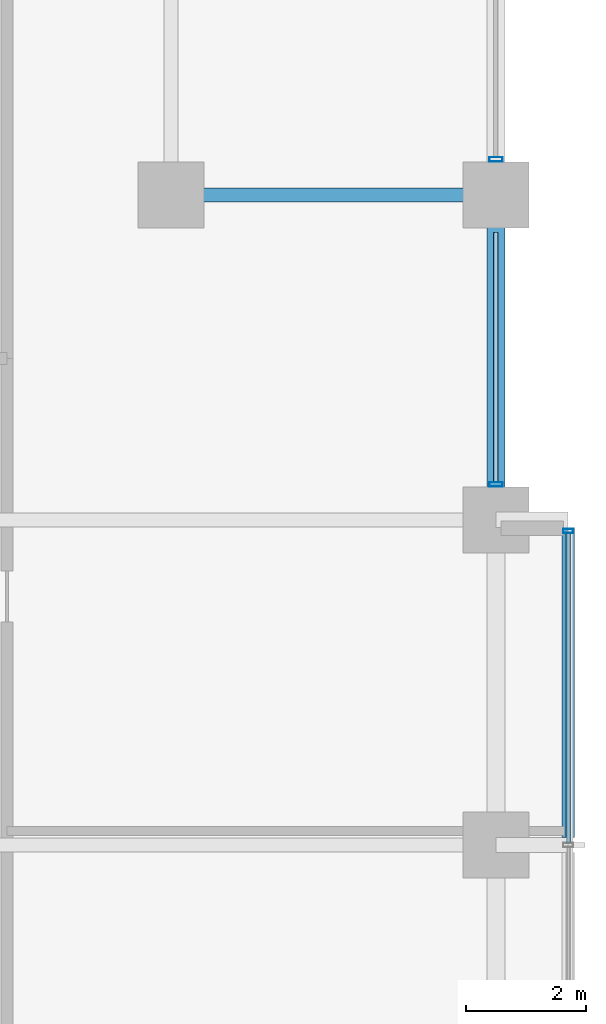
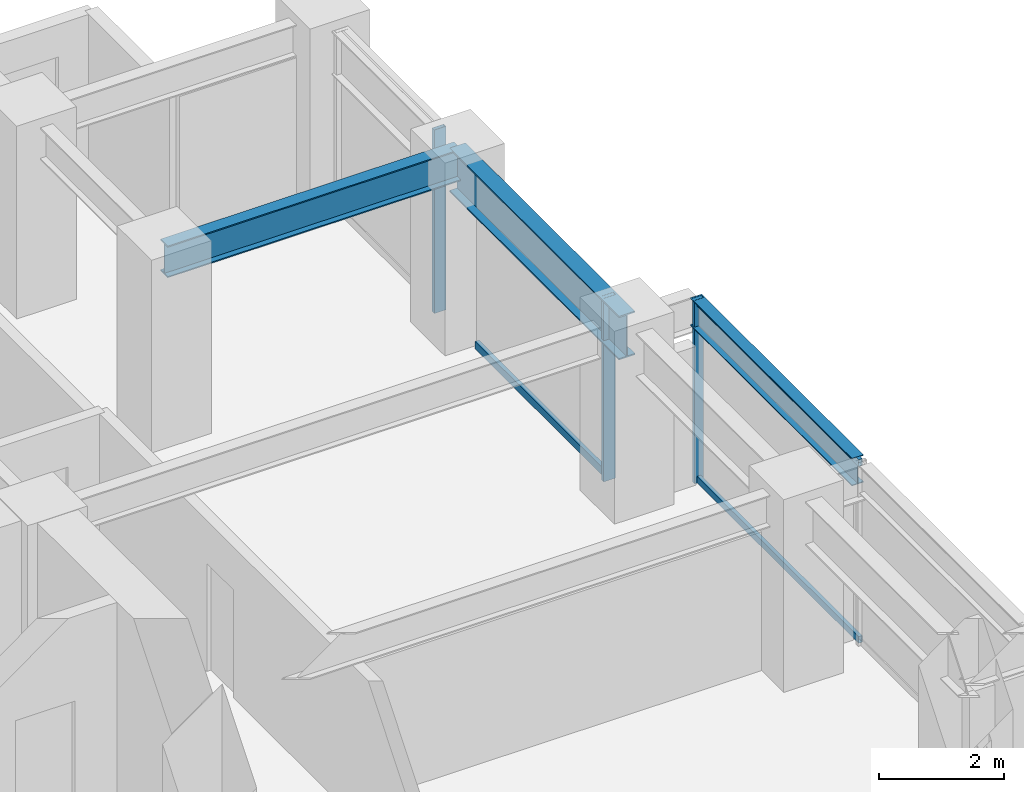
# One storey, part 16 of 26: 6 members, 3 beams, 2 elements without a shape of their own.
"""IFC4 building model written with IfcOpenShell, lengths in metres."""

from ifc_helpers import new_model, si_unit, direction, frame, origin, origin_2d, place, context, subcontext, project, spatial, hollow_rectangle, i_section, extrude, material, layer, layer_set, material_profile, profile_set, type_object, element, aggregate, save


model = new_model("IFC4")

# Units and contexts
model_context = context("Model", 3, precision=1e-05, world=origin(), true_north=direction((0.0, 1.0)))
body_context = subcontext(model_context, "Body", "Model", "MODEL_VIEW")
ifc_project = project(units=[si_unit("LENGTHUNIT", "METRE"), si_unit("AREAUNIT", "SQUARE_METRE"), si_unit("VOLUMEUNIT", "CUBIC_METRE"), si_unit("PLANEANGLEUNIT", "RADIAN"), si_unit("MASSUNIT", "GRAM", prefix="KILO")], contexts=[model_context])

# Site, building, storey
site_placement = place(None, origin())
site = spatial("IfcSite", under=ifc_project, at=site_placement, CompositionType="ELEMENT")
building_placement = place(site_placement, origin())
building = spatial("IfcBuilding", under=site, at=building_placement, Name="Surkhivell Harbour Commons", CompositionType="ELEMENT")
storey_placement = place(building_placement, frame((0.0, 0.0, 102.0)))
storey = spatial("IfcBuildingStorey", under=building, at=storey_placement, Name="L26", CompositionType="ELEMENT", Elevation=102.0)

# Beams
ifc_material_1 = material(Name="Steel S355", Category="steel")
ifc_material_profile_1 = material_profile(ifc_material_1, i_section(OverallWidth=0.2099609375, OverallDepth=0.537109375, WebThickness=0.0107421875, FlangeThickness=0.017333984375, at=origin_2d()), Name="UB533x210x101")
ifc_profile_set_1 = profile_set([ifc_material_profile_1], Name="Steel S355")
beam_type_1 = type_object("IfcBeamType", Name="BM-GRD-533B", PredefinedType="BEAM", material=ifc_profile_set_1)
beam_1_placement = place(storey_placement, frame((22.800048828125, 5.52197265625, 3.301513671875), z_axis=(0.0, 1.0, 0.0), x_axis=(-1.0, 0.0, 0.0)))
element("IfcBeam", 1, at=beam_1_placement, inside=storey, type_object=beam_type_1, Name="L26 Box Rim Spandrel (22.8,5.4)", PredefinedType="BEAM", context=body_context, shape_type="SweptSolid", body=[
    extrude(i_section(OverallWidth=0.2099609375, OverallDepth=0.537109375, WebThickness=0.0107421875, FlangeThickness=0.017333984375, at=origin_2d()), origin(), (0.0, 0.0, 1.0), 5.156005859375),
])
ifc_material_profile_2 = material_profile(ifc_material_1, i_section(OverallWidth=0.22998046875, OverallDepth=0.616943359375, WebThickness=0.01318359375, FlangeThickness=0.022216796875, at=origin_2d()), Name="UB610x229x140")
ifc_profile_set_2 = profile_set([ifc_material_profile_2], Name="Steel S355")
beam_type_2 = type_object("IfcBeamType", Name="BM-GRD-610B", PredefinedType="BEAM", material=ifc_profile_set_2)
beam_2_placement = place(storey_placement, frame((16.199951171875, 16.199951171875, 3.261474609375), z_axis=(1.0, 0.0, 0.0), x_axis=(0.0, 1.0, 0.0)))
element("IfcBeam", 2, at=beam_2_placement, inside=storey, type_object=beam_type_2, Name="L26 Floor Girder (16.2,16.2)", PredefinedType="BEAM", context=body_context, shape_type="SweptSolid", body=[
    extrude(i_section(OverallWidth=0.22998046875, OverallDepth=0.616943359375, WebThickness=0.01318359375, FlangeThickness=0.022216796875, at=origin_2d()), origin(), (0.0, 0.0, 1.0), 5.400146484375),
])
ifc_material_2 = material(Name="Steel S460", Category="steel")
ifc_material_profile_3 = material_profile(ifc_material_2, i_section(OverallWidth=0.2939453125, OverallDepth=0.85107421875, WebThickness=0.01611328125, FlangeThickness=0.02685546875, at=origin_2d()), Name="UB838x292x226")
ifc_profile_set_3 = profile_set([ifc_material_profile_3], Name="Steel S460")
beam_type_3 = type_object("IfcBeamType", Name="BM-SPN-838", PredefinedType="SPANDREL", material=ifc_profile_set_3)
beam_3_placement = place(storey_placement, frame((21.60009765625, 10.800048828125, 3.14453125), z_axis=(0.0, 1.0, 0.0), x_axis=(-1.0, 0.0, 0.0)))
element("IfcBeam", 3, at=beam_3_placement, inside=storey, type_object=beam_type_3, Name="L26 Tube Spandrel (21.6,10.8)", PredefinedType="SPANDREL", context=body_context, shape_type="SweptSolid", body=[
    extrude(i_section(OverallWidth=0.2939453125, OverallDepth=0.85107421875, WebThickness=0.01611328125, FlangeThickness=0.02685546875, at=origin_2d()), origin(), (0.0, 0.0, 1.0), 5.39990234375),
])

# Curtain wall, member
ifc_material_3 = material(Name="Anodised pale-metal aluminium and insulated glazing", Category="aluminium")
ifc_layer_1 = layer(ifc_material_3, 0.1650390625)
ifc_layer_set_1 = layer_set([ifc_layer_1], Name="Anodised pale-metal aluminium and insulated glazing")
curtain_wall_type_1 = type_object("IfcCurtainWallType", Name="CW-SYS-BOX", PredefinedType="NOTDEFINED", material=ifc_layer_set_1)
curtain_wall_1_placement = place(storey_placement, origin())
curtain_wall_1 = element("IfcCurtainWall", 4, at=curtain_wall_1_placement, inside=storey, type_object=curtain_wall_type_1, Name="L26 Curtain Wall CW-L26-BOX01", PredefinedType="NOTDEFINED")
ifc_material_4 = material(Name="Champagne anodised aluminium alloy 6063-T6", Category="aluminium")
ifc_material_profile_4 = material_profile(ifc_material_4, hollow_rectangle(XDim=0.070068359375, YDim=0.1650390625, WallThickness=0.00341796875, at=origin_2d()), Name="ALU-MULL-70x165")
ifc_profile_set_4 = profile_set([ifc_material_profile_4], Name="Champagne anodised aluminium alloy 6063-T6")
member_type_1 = type_object("IfcMemberType", Name="CWM-165", PredefinedType="MULLION", material=ifc_profile_set_4)
member_1_placement = place(storey_placement, frame((22.800048828125, 10.614990234375, 0.0), z_axis=(0.0, 0.0, 1.0), x_axis=(0.0, 1.0, 0.0)))
member_1 = element("IfcMember", 5, at=member_1_placement, type_object=member_type_1, Name="CW-BOX mullion 3", PredefinedType="MULLION", context=body_context, shape_type="SweptSolid", body=[
    extrude(hollow_rectangle(XDim=0.070068359375, YDim=0.1650390625, WallThickness=0.00341796875, at=origin_2d()), origin(), (0.0, 0.0, 1.0), 3.570068359375),
])

# Curtain wall, members
ifc_layer_2 = layer(ifc_material_3, 0.205078125)
ifc_layer_set_2 = layer_set([ifc_layer_2], Name="Anodised pale-metal aluminium and insulated glazing")
curtain_wall_type_2 = type_object("IfcCurtainWallType", Name="CW-SYS-Z2", PredefinedType="NOTDEFINED", material=ifc_layer_set_2)
curtain_wall_2_placement = place(storey_placement, origin())
curtain_wall_2 = element("IfcCurtainWall", 6, at=curtain_wall_2_placement, inside=storey, type_object=curtain_wall_type_2, Name="L26 Curtain Wall CW-L26-E02R2", PredefinedType="NOTDEFINED")
ifc_material_5 = material(Name="Anodised pale-metal aluminium alloy 6063-T6", Category="aluminium")
ifc_material_profile_5 = material_profile(ifc_material_5, hollow_rectangle(XDim=0.074951171875, YDim=0.219970703125, WallThickness=0.00390625, at=origin_2d()), Name="ALU-MULL-75x220")
ifc_profile_set_5 = profile_set([ifc_material_profile_5], Name="Anodised pale-metal aluminium alloy 6063-T6")
member_type_2 = type_object("IfcMemberType", Name="CWM-220", PredefinedType="MULLION", material=ifc_profile_set_5)
member_2_placement = place(storey_placement, frame((21.60009765625, 11.389404296875, 0.0), z_axis=(0.0, 0.0, 1.0), x_axis=(0.0, 1.0, 0.0)))
member_2 = element("IfcMember", 7, at=member_2_placement, type_object=member_type_2, Name="CW-Z2 mullion 1", PredefinedType="MULLION", context=body_context, shape_type="SweptSolid", body=[
    extrude(hollow_rectangle(XDim=0.074951171875, YDim=0.219970703125, WallThickness=0.00390625, at=origin_2d()), origin(), (0.0, 0.0, 1.0), 3.570068359375),
])
member_3_placement = place(storey_placement, frame((21.60009765625, 16.78955078125, 0.0), z_axis=(0.0, 0.0, 1.0), x_axis=(0.0, 1.0, 0.0)))
member_3 = element("IfcMember", 8, at=member_3_placement, type_object=member_type_2, Name="CW-Z2 mullion 2", PredefinedType="MULLION", context=body_context, shape_type="SweptSolid", body=[
    extrude(hollow_rectangle(XDim=0.074951171875, YDim=0.219970703125, WallThickness=0.00390625, at=origin_2d()), origin(), (0.0, 0.0, 1.0), 3.570068359375),
])

# Member
ifc_material_profile_6 = material_profile(ifc_material_4, hollow_rectangle(XDim=0.070068359375, YDim=0.1298828125, WallThickness=0.00341796875, at=origin_2d()), Name="ALU-TRAN-70x130")
ifc_profile_set_6 = profile_set([ifc_material_profile_6], Name="Champagne anodised aluminium alloy 6063-T6")
member_type_3 = type_object("IfcMemberType", Name="CWT-130", PredefinedType="USERDEFINED", material=ifc_profile_set_6)
member_4_placement = place(storey_placement, frame((22.800048828125, 5.43505859375, 0.06494140625), z_axis=(0.0, 1.0, 0.0), x_axis=(-1.0, 0.0, 0.0)))
member_4 = element("IfcMember", 9, at=member_4_placement, type_object=member_type_3, Name="CW-BOX transom 2.1", ObjectType="TRANSOM", PredefinedType="USERDEFINED", context=body_context, shape_type="SweptSolid", body=[
    extrude(hollow_rectangle(XDim=0.070068359375, YDim=0.1298828125, WallThickness=0.00341796875, at=origin_2d()), origin(), (0.0, 0.0, 1.0), 5.14501953125),
])

member_5_placement = place(storey_placement, frame((22.800048828125, 5.43505859375, 3.5048828125), z_axis=(0.0, 1.0, 0.0), x_axis=(-1.0, 0.0, 0.0)))
member_5 = element("IfcMember", 10, at=member_5_placement, type_object=member_type_3, Name="CW-BOX transom 2.2", ObjectType="TRANSOM", PredefinedType="USERDEFINED", context=body_context, shape_type="SweptSolid", body=[
    extrude(hollow_rectangle(XDim=0.070068359375, YDim=0.1298828125, WallThickness=0.00341796875, at=origin_2d()), origin(), (0.0, 0.0, 1.0), 5.14501953125),
])

aggregate(curtain_wall_1, [member_1, member_4, member_5])

ifc_material_profile_7 = material_profile(ifc_material_5, hollow_rectangle(XDim=0.074951171875, YDim=0.14990234375, WallThickness=0.00341796875, at=origin_2d()), Name="ALU-TRAN-75x150")
ifc_profile_set_7 = profile_set([ifc_material_profile_7], Name="Anodised pale-metal aluminium alloy 6063-T6")
member_type_4 = type_object("IfcMemberType", Name="CWT-150", PredefinedType="USERDEFINED", material=ifc_profile_set_7)
member_6_placement = place(storey_placement, frame((21.60009765625, 11.427001953125, 0.074951171875), z_axis=(0.0, 1.0, 0.0), x_axis=(-1.0, 0.0, 0.0)))
member_6 = element("IfcMember", 11, at=member_6_placement, type_object=member_type_4, Name="CW-Z2 transom 1.1", ObjectType="TRANSOM", PredefinedType="USERDEFINED", context=body_context, shape_type="SweptSolid", body=[
    extrude(hollow_rectangle(XDim=0.074951171875, YDim=0.14990234375, WallThickness=0.00341796875, at=origin_2d()), origin(), (0.0, 0.0, 1.0), 4.14599609375),
])

aggregate(curtain_wall_2, [member_2, member_6, member_3])

save(model, "model.ifc")
